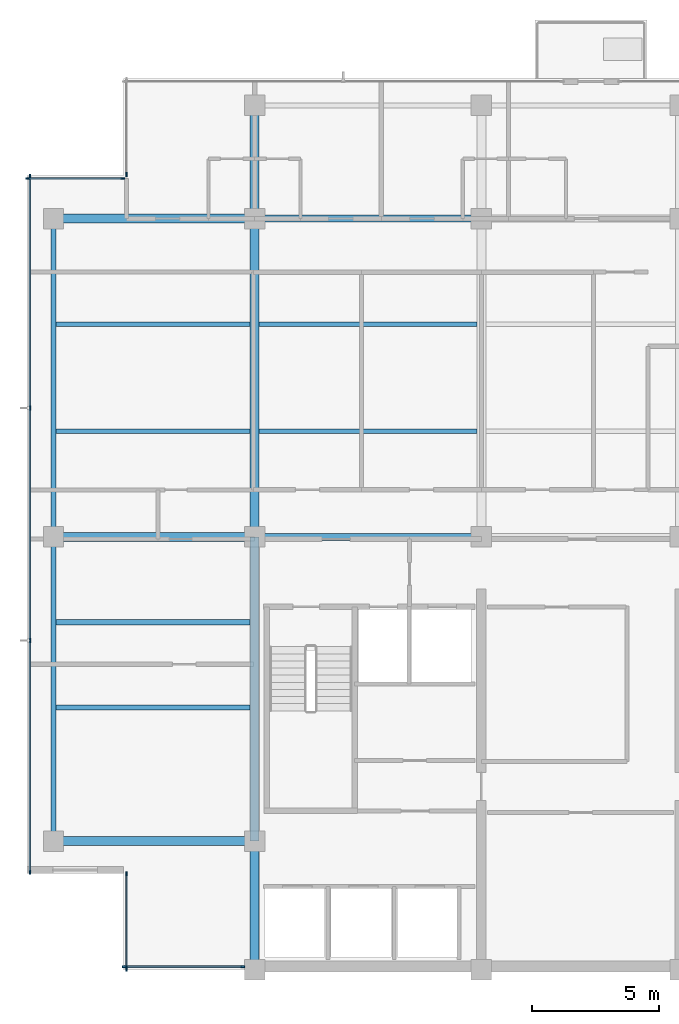
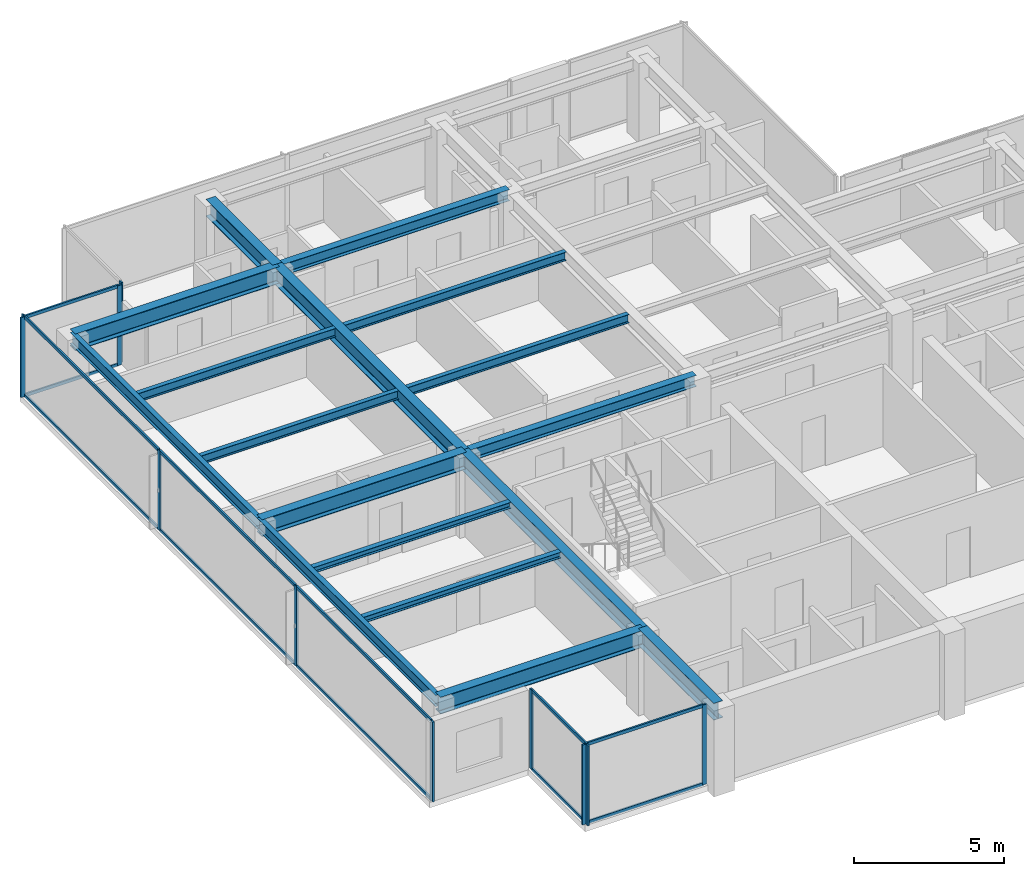
# One storey, part 2 of 11: 23 members, 17 beams, 5 elements without a shape of their own.
"""IFC4 building model written with IfcOpenShell, lengths in metres."""

from ifc_helpers import new_model, si_unit, direction, frame, origin, origin_2d, place, context, subcontext, project, spatial, rectangle, i_section, extrude, material, layer, layer_set, material_profile, profile_set, type_object, element, aggregate, save


model = new_model("IFC4")

# Units and contexts
model_context = context("Model", 3, precision=1e-05, world=origin(), true_north=direction((0.0, 1.0)))
body_context = subcontext(model_context, "Body", "Model", "MODEL_VIEW")
ifc_project = project(units=[si_unit("LENGTHUNIT", "METRE"), si_unit("AREAUNIT", "SQUARE_METRE"), si_unit("VOLUMEUNIT", "CUBIC_METRE"), si_unit("PLANEANGLEUNIT", "RADIAN"), si_unit("MASSUNIT", "GRAM", prefix="KILO")], contexts=[model_context])

# Site, building, storey
site_placement = place(None, origin())
site = spatial("IfcSite", under=ifc_project, at=site_placement, CompositionType="ELEMENT")
building_placement = place(site_placement, origin())
building = spatial("IfcBuilding", under=site, at=building_placement, Name="Qalmaran Belvedere Hotel", CompositionType="ELEMENT")
storey_placement = place(building_placement, frame((0.0, 0.0, 259.89990234375)))
storey = spatial("IfcBuildingStorey", under=building, at=storey_placement, Name="L67", CompositionType="ELEMENT", Elevation=259.89990234375)

# Beams
ifc_material_1 = material(Name="Steel S355JR", Category="steel")
ifc_material_profile_1 = material_profile(ifc_material_1, i_section(OverallWidth=0.201904296875, OverallDepth=0.2470703125, WebThickness=0.00732421875, FlangeThickness=0.010986328125, FilletRadius=0.011962890625, at=origin_2d()), Name="W250X49")
ifc_profile_set_1 = profile_set([ifc_material_profile_1], Name="Steel S355JR")
beam_type_1 = type_object("IfcBeamType", Name="BM-JST-W250X49", PredefinedType="JOIST", material=ifc_profile_set_1)
for number, where, z_axis, x_axis, name in (
    (1, (12.493896484375, 13.800048828125, 3.13671875), (1.0, 0.0, 0.0), (0.0, 1.0, 0.0), "L67 West Wing Joist 031"),
    (2, (12.493896484375, 17.14990234375, 3.13671875), (1.0, 0.0, 0.0), (0.0, 1.0, 0.0), "L67 West Wing Joist 033"),
):
    element("IfcBeam", number, at=place(storey_placement, frame(where, z_axis=z_axis, x_axis=x_axis)), inside=storey, type_object=beam_type_1, Name=name, PredefinedType="JOIST", context=body_context, shape_type="SweptSolid", body=[
        extrude(i_section(OverallWidth=0.201904296875, OverallDepth=0.2470703125, WebThickness=0.00732421875, FlangeThickness=0.010986328125, FilletRadius=0.011962890625, at=origin_2d()), origin(), (0.0, 0.0, 1.0), 7.630615234375),
    ])
ifc_material_profile_2 = material_profile(ifc_material_1, i_section(OverallWidth=0.172119140625, OverallDepth=0.35791015625, WebThickness=0.0078125, FlangeThickness=0.01318359375, FilletRadius=0.014892578125, at=origin_2d()), Name="W360X57")
ifc_profile_set_2 = profile_set([ifc_material_profile_2], Name="Steel S355JR")
beam_type_2 = type_object("IfcBeamType", Name="BM-SB4-W360X57", PredefinedType="BEAM", material=ifc_profile_set_2)
beam_1_placement = place(storey_placement, frame((12.493896484375, 24.64990234375, 3.0810546875), z_axis=(1.0, 0.0, 0.0), x_axis=(0.0, 1.0, 0.0)))
element("IfcBeam", 3, at=beam_1_placement, inside=storey, type_object=beam_type_2, Name="L67 West Secondary Beam 024", PredefinedType="BEAM", context=body_context, shape_type="SweptSolid", body=[
    extrude(i_section(OverallWidth=0.172119140625, OverallDepth=0.35791015625, WebThickness=0.0078125, FlangeThickness=0.01318359375, FilletRadius=0.014892578125, at=origin_2d()), origin(), (0.0, 0.0, 1.0), 7.630615234375),
])
beam_2_placement = place(storey_placement, frame((20.4755859375, 24.64990234375, 3.0810546875), z_axis=(1.0, 0.0, 0.0), x_axis=(0.0, 1.0, 0.0)))
element("IfcBeam", 4, at=beam_2_placement, inside=storey, type_object=beam_type_2, Name="L67 Secondary Floor Beam 025", PredefinedType="BEAM", context=body_context, shape_type="SweptSolid", body=[
    extrude(i_section(OverallWidth=0.172119140625, OverallDepth=0.35791015625, WebThickness=0.0078125, FlangeThickness=0.01318359375, FilletRadius=0.014892578125, at=origin_2d()), origin(), (0.0, 0.0, 1.0), 8.548828125),
])
beam_3_placement = place(storey_placement, frame((12.493896484375, 28.85009765625, 3.0810546875), z_axis=(1.0, 0.0, 0.0), x_axis=(0.0, 1.0, 0.0)))
element("IfcBeam", 5, at=beam_3_placement, inside=storey, type_object=beam_type_2, Name="L67 West Secondary Beam 028", PredefinedType="BEAM", context=body_context, shape_type="SweptSolid", body=[
    extrude(i_section(OverallWidth=0.172119140625, OverallDepth=0.35791015625, WebThickness=0.0078125, FlangeThickness=0.01318359375, FilletRadius=0.014892578125, at=origin_2d()), origin(), (0.0, 0.0, 1.0), 7.630615234375),
])
beam_4_placement = place(storey_placement, frame((20.4755859375, 28.85009765625, 3.0810546875), z_axis=(1.0, 0.0, 0.0), x_axis=(0.0, 1.0, 0.0)))
element("IfcBeam", 6, at=beam_4_placement, inside=storey, type_object=beam_type_2, Name="L67 Secondary Floor Beam 029", PredefinedType="BEAM", context=body_context, shape_type="SweptSolid", body=[
    extrude(i_section(OverallWidth=0.172119140625, OverallDepth=0.35791015625, WebThickness=0.0078125, FlangeThickness=0.01318359375, FilletRadius=0.014892578125, at=origin_2d()), origin(), (0.0, 0.0, 1.0), 8.548828125),
])
ifc_material_profile_3 = material_profile(ifc_material_1, i_section(OverallWidth=0.19189453125, OverallDepth=0.462890625, WebThickness=0.010498046875, FlangeThickness=0.017578125, FilletRadius=0.01611328125, at=origin_2d()), Name="W460X89")
ifc_profile_set_3 = profile_set([ifc_material_profile_3], Name="Steel S355JR")
beam_type_3 = type_object("IfcBeamType", Name="BM-SP2-W460X89", PredefinedType="SPANDREL", material=ifc_profile_set_3)
beam_5_placement = place(storey_placement, frame((12.39990234375, 8.550048828125, 3.028564453125), z_axis=(0.0, 1.0, 0.0), x_axis=(-1.0, 0.0, 0.0)))
element("IfcBeam", 7, at=beam_5_placement, inside=storey, type_object=beam_type_3, Name="L67 Perimeter Spandrel 01", PredefinedType="SPANDREL", context=body_context, shape_type="SweptSolid", body=[
    extrude(i_section(OverallWidth=0.19189453125, OverallDepth=0.462890625, WebThickness=0.010498046875, FlangeThickness=0.017578125, FilletRadius=0.01611328125, at=origin_2d()), origin(), (0.0, 0.0, 1.0), 11.949951171875),
])
beam_6_placement = place(storey_placement, frame((12.39990234375, 20.5, 3.028564453125), z_axis=(0.0, 1.0, 0.0), x_axis=(-1.0, 0.0, 0.0)))
element("IfcBeam", 8, at=beam_6_placement, inside=storey, type_object=beam_type_3, Name="L67 Perimeter Spandrel 02", PredefinedType="SPANDREL", context=body_context, shape_type="SweptSolid", body=[
    extrude(i_section(OverallWidth=0.19189453125, OverallDepth=0.462890625, WebThickness=0.010498046875, FlangeThickness=0.017578125, FilletRadius=0.01611328125, at=origin_2d()), origin(), (0.0, 0.0, 1.0), 12.5),
])
ifc_material_profile_4 = material_profile(ifc_material_1, i_section(OverallWidth=0.35498046875, OverallDepth=0.695068359375, WebThickness=0.015380859375, FlangeThickness=0.02490234375, FilletRadius=0.02197265625, at=origin_2d()), Name="W690X217")
ifc_profile_set_4 = profile_set([ifc_material_profile_4], Name="Steel S355JR")
beam_type_4 = type_object("IfcBeamType", Name="BM-Z1-W690X217", PredefinedType="USERDEFINED", material=ifc_profile_set_4)
beam_7_placement = place(storey_placement, frame((20.300048828125, 20.5, 2.91259765625), z_axis=(0.0, 1.0, 0.0), x_axis=(-1.0, 0.0, 0.0)))
element("IfcBeam", 9, at=beam_7_placement, inside=storey, type_object=beam_type_4, Name="L67 Mid-Plate N-S Girder 11", ObjectType="GIRDER", PredefinedType="USERDEFINED", context=body_context, shape_type="SweptSolid", body=[
    extrude(i_section(OverallWidth=0.35498046875, OverallDepth=0.695068359375, WebThickness=0.015380859375, FlangeThickness=0.02490234375, FilletRadius=0.02197265625, at=origin_2d()), origin(), (0.0, 0.0, 1.0), 12.5),
])
beam_8_placement = place(storey_placement, frame((20.300048828125, 33.0, 2.91259765625), z_axis=(0.0, 1.0, 0.0), x_axis=(-1.0, 0.0, 0.0)))
element("IfcBeam", 10, at=beam_8_placement, inside=storey, type_object=beam_type_4, Name="L67 North Bay Girder 12", ObjectType="GIRDER", PredefinedType="USERDEFINED", context=body_context, shape_type="SweptSolid", body=[
    extrude(i_section(OverallWidth=0.35498046875, OverallDepth=0.695068359375, WebThickness=0.015380859375, FlangeThickness=0.02490234375, FilletRadius=0.02197265625, at=origin_2d()), origin(), (0.0, 0.0, 1.0), 4.449951171875),
])
for number, where, z_axis, x_axis, name in (
    (11, (12.39990234375, 8.550048828125, 2.91259765625), (1.0, 0.0, 0.0), (0.0, 1.0, 0.0), "L67 West Wing Girder 19"),
    (12, (12.39990234375, 20.5, 2.91259765625), (1.0, 0.0, 0.0), (0.0, 1.0, 0.0), "L67 West Wing Girder 20"),
    (13, (12.39990234375, 33.0, 2.91259765625), (1.0, 0.0, 0.0), (0.0, 1.0, 0.0), "L67 West Wing Girder 21"),
):
    element("IfcBeam", number, at=place(storey_placement, frame(where, z_axis=z_axis, x_axis=x_axis)), inside=storey, type_object=beam_type_4, Name=name, ObjectType="GIRDER", PredefinedType="USERDEFINED", context=body_context, shape_type="SweptSolid", body=[
        extrude(i_section(OverallWidth=0.35498046875, OverallDepth=0.695068359375, WebThickness=0.015380859375, FlangeThickness=0.02490234375, FilletRadius=0.02197265625, at=origin_2d()), origin(), (0.0, 0.0, 1.0), 7.900146484375),
    ])
beam_9_placement = place(storey_placement, frame((20.300048828125, 3.5, 2.91259765625), z_axis=(0.0, 1.0, 0.0), x_axis=(-1.0, 0.0, 0.0)))
element("IfcBeam", 14, at=beam_9_placement, inside=storey, type_object=beam_type_4, Name="L67 West Core Edge Girder A", ObjectType="GIRDER", PredefinedType="USERDEFINED", context=body_context, shape_type="SweptSolid", body=[
    extrude(i_section(OverallWidth=0.35498046875, OverallDepth=0.695068359375, WebThickness=0.015380859375, FlangeThickness=0.02490234375, FilletRadius=0.02197265625, at=origin_2d()), origin(), (0.0, 0.0, 1.0), 5.050048828125),
])
beam_10_placement = place(storey_placement, frame((20.300048828125, 8.550048828125, 2.91259765625), z_axis=(0.0, 1.0, 0.0), x_axis=(-1.0, 0.0, 0.0)))
element("IfcBeam", 15, at=beam_10_placement, inside=storey, type_object=beam_type_4, Name="L67 West Core Edge Girder B", ObjectType="GIRDER", PredefinedType="USERDEFINED", context=body_context, shape_type="SweptSolid", body=[
    extrude(i_section(OverallWidth=0.35498046875, OverallDepth=0.695068359375, WebThickness=0.015380859375, FlangeThickness=0.02490234375, FilletRadius=0.02197265625, at=origin_2d()), origin(), (0.0, 0.0, 1.0), 11.949951171875),
])
ifc_material_profile_5 = material_profile(ifc_material_1, i_section(OverallWidth=0.280029296875, OverallDepth=0.462890625, WebThickness=0.0107421875, FlangeThickness=0.017333984375, FilletRadius=0.01611328125, at=origin_2d()), Name="W460X113")
ifc_profile_set_5 = profile_set([ifc_material_profile_5], Name="Steel S355JR")
beam_type_5 = type_object("IfcBeamType", Name="BM-Z5-W460X113", PredefinedType="USERDEFINED", material=ifc_profile_set_5)
for number, where, z_axis, x_axis, name in (
    (16, (20.300048828125, 20.5, 3.028564453125), (1.0, 0.0, 0.0), (0.0, 1.0, 0.0), "L67 Interior E-W Girder 06"),
    (17, (20.300048828125, 33.0, 3.028564453125), (1.0, 0.0, 0.0), (0.0, 1.0, 0.0), "L67 Interior E-W Girder 09"),
):
    element("IfcBeam", number, at=place(storey_placement, frame(where, z_axis=z_axis, x_axis=x_axis)), inside=storey, type_object=beam_type_5, Name=name, ObjectType="GIRDER", PredefinedType="USERDEFINED", context=body_context, shape_type="SweptSolid", body=[
        extrude(i_section(OverallWidth=0.280029296875, OverallDepth=0.462890625, WebThickness=0.0107421875, FlangeThickness=0.017333984375, FilletRadius=0.01611328125, at=origin_2d()), origin(), (0.0, 0.0, 1.0), 8.89990234375),
    ])

# Curtain wall, members
ifc_material_2 = material(Name="Anodised Bronze Aluminium", Category="aluminium")
ifc_layer = layer(ifc_material_2, 0.18505859375, Name="Anodised Bronze Aluminium")
ifc_layer_set = layer_set([ifc_layer], Name="Anodised Bronze Aluminium")
curtain_wall_type = type_object("IfcCurtainWallType", Name="CW6-TOWER-SKY", PredefinedType="NOTDEFINED", material=ifc_layer_set)
curtain_wall_1_placement = place(storey_placement, origin())
curtain_wall_1 = element("IfcCurtainWall", 18, at=curtain_wall_1_placement, inside=storey, type_object=curtain_wall_type, Name="L67 Curtain Wall CW6", PredefinedType="NOTDEFINED")
ifc_material_profile_6 = material_profile(ifc_material_2, rectangle(XDim=0.06494140625, YDim=0.1650390625, at=origin_2d()), Name="CWM65X165")
ifc_profile_set_6 = profile_set([ifc_material_profile_6], Name="Anodised Bronze Aluminium")
member_type_1 = type_object("IfcMemberType", Name="CWM-65X165", PredefinedType="MULLION", material=ifc_profile_set_6)
member_1_placement = place(storey_placement, frame((15.1826171875, 3.6201171875, 0.0), z_axis=(0.0, 0.0, 1.0), x_axis=(0.0, 1.0, 0.0)))
member_1 = element("IfcMember", 19, at=member_1_placement, type_object=member_type_1, Name="CW6 mullion 1", PredefinedType="MULLION", context=body_context, shape_type="SweptSolid", body=[
    extrude(rectangle(XDim=0.06494140625, YDim=0.1650390625, at=origin_2d()), origin(), (0.0, 0.0, 1.0), 3.260009765625),
])
member_2_placement = place(storey_placement, frame((19.827392578125, 3.6201171875, 0.0), z_axis=(0.0, 0.0, 1.0), x_axis=(0.0, 1.0, 0.0)))
member_2 = element("IfcMember", 20, at=member_2_placement, type_object=member_type_1, Name="CW6 mullion 2", PredefinedType="MULLION", context=body_context, shape_type="SweptSolid", body=[
    extrude(rectangle(XDim=0.06494140625, YDim=0.1650390625, at=origin_2d()), origin(), (0.0, 0.0, 1.0), 3.260009765625),
])

# Curtain wall, member
curtain_wall_2_placement = place(storey_placement, origin())
curtain_wall_2 = element("IfcCurtainWall", 21, at=curtain_wall_2_placement, inside=storey, type_object=curtain_wall_type, Name="L67 Curtain Wall CW6", PredefinedType="NOTDEFINED")
member_3_placement = place(storey_placement, frame((15.27001953125, 34.732421875, 0.0), z_axis=(0.0, 0.0, 1.0), x_axis=(1.0, 0.0, 0.0)))
member_3 = element("IfcMember", 22, at=member_3_placement, type_object=member_type_1, Name="CW6 mullion 2", PredefinedType="MULLION", context=body_context, shape_type="SweptSolid", body=[
    extrude(rectangle(XDim=0.06494140625, YDim=0.1650390625, at=origin_2d()), origin(), (0.0, 0.0, 1.0), 3.260009765625),
])
aggregate(curtain_wall_2, [member_3])

# Curtain wall, members
curtain_wall_3_placement = place(storey_placement, origin())
curtain_wall_3 = element("IfcCurtainWall", 23, at=curtain_wall_3_placement, inside=storey, type_object=curtain_wall_type, Name="L67 Curtain Wall CW6", PredefinedType="NOTDEFINED")
member_4_placement = place(storey_placement, frame((15.117431640625, 34.580078125, 0.0), z_axis=(0.0, 0.0, 1.0), x_axis=(0.0, -1.0, 0.0)))
member_4 = element("IfcMember", 24, at=member_4_placement, type_object=member_type_1, Name="CW6 mullion 1", PredefinedType="MULLION", context=body_context, shape_type="SweptSolid", body=[
    extrude(rectangle(XDim=0.06494140625, YDim=0.1650390625, at=origin_2d()), origin(), (0.0, 0.0, 1.0), 3.260009765625),
])
member_5_placement = place(storey_placement, frame((11.382568359375, 34.580078125, 0.0), z_axis=(0.0, 0.0, 1.0), x_axis=(0.0, -1.0, 0.0)))
member_5 = element("IfcMember", 25, at=member_5_placement, type_object=member_type_1, Name="CW6 mullion 2", PredefinedType="MULLION", context=body_context, shape_type="SweptSolid", body=[
    extrude(rectangle(XDim=0.06494140625, YDim=0.1650390625, at=origin_2d()), origin(), (0.0, 0.0, 1.0), 3.260009765625),
])

curtain_wall_4_placement = place(storey_placement, origin())
curtain_wall_4 = element("IfcCurtainWall", 26, at=curtain_wall_4_placement, inside=storey, type_object=curtain_wall_type, Name="L67 Curtain Wall CW6", PredefinedType="NOTDEFINED")
member_6_placement = place(storey_placement, frame((11.469970703125, 34.66748046875, 0.0), z_axis=(0.0, 0.0, 1.0), x_axis=(1.0, 0.0, 0.0)))
member_6 = element("IfcMember", 27, at=member_6_placement, type_object=member_type_1, Name="CW6 mullion 1", PredefinedType="MULLION", context=body_context, shape_type="SweptSolid", body=[
    extrude(rectangle(XDim=0.06494140625, YDim=0.1650390625, at=origin_2d()), origin(), (0.0, 0.0, 1.0), 3.260009765625),
])
member_7_placement = place(storey_placement, frame((11.469970703125, 25.566650390625, 0.0), z_axis=(0.0, 0.0, 1.0), x_axis=(1.0, 0.0, 0.0)))
member_7 = element("IfcMember", 28, at=member_7_placement, type_object=member_type_1, Name="CW6 mullion 2", PredefinedType="MULLION", context=body_context, shape_type="SweptSolid", body=[
    extrude(rectangle(XDim=0.06494140625, YDim=0.1650390625, at=origin_2d()), origin(), (0.0, 0.0, 1.0), 3.260009765625),
])
member_8_placement = place(storey_placement, frame((11.469970703125, 16.433349609375, 0.0), z_axis=(0.0, 0.0, 1.0), x_axis=(1.0, 0.0, 0.0)))
member_8 = element("IfcMember", 29, at=member_8_placement, type_object=member_type_1, Name="CW6 mullion 3", PredefinedType="MULLION", context=body_context, shape_type="SweptSolid", body=[
    extrude(rectangle(XDim=0.06494140625, YDim=0.1650390625, at=origin_2d()), origin(), (0.0, 0.0, 1.0), 3.260009765625),
])
member_9_placement = place(storey_placement, frame((11.469970703125, 7.33251953125, 0.0), z_axis=(0.0, 0.0, 1.0), x_axis=(1.0, 0.0, 0.0)))
member_9 = element("IfcMember", 30, at=member_9_placement, type_object=member_type_1, Name="CW6 mullion 4", PredefinedType="MULLION", context=body_context, shape_type="SweptSolid", body=[
    extrude(rectangle(XDim=0.06494140625, YDim=0.1650390625, at=origin_2d()), origin(), (0.0, 0.0, 1.0), 3.260009765625),
])

curtain_wall_5_placement = place(storey_placement, origin())
curtain_wall_5 = element("IfcCurtainWall", 31, at=curtain_wall_5_placement, inside=storey, type_object=curtain_wall_type, Name="L67 Curtain Wall CW6", PredefinedType="NOTDEFINED")
member_10_placement = place(storey_placement, frame((15.27001953125, 7.267578125, 0.0), z_axis=(0.0, 0.0, 1.0), x_axis=(1.0, 0.0, 0.0)))
member_10 = element("IfcMember", 32, at=member_10_placement, type_object=member_type_1, Name="CW6 mullion 1", PredefinedType="MULLION", context=body_context, shape_type="SweptSolid", body=[
    extrude(rectangle(XDim=0.06494140625, YDim=0.1650390625, at=origin_2d()), origin(), (0.0, 0.0, 1.0), 3.260009765625),
])
member_11_placement = place(storey_placement, frame((15.27001953125, 3.532470703125, 0.0), z_axis=(0.0, 0.0, 1.0), x_axis=(1.0, 0.0, 0.0)))
member_11 = element("IfcMember", 33, at=member_11_placement, type_object=member_type_1, Name="CW6 mullion 2", PredefinedType="MULLION", context=body_context, shape_type="SweptSolid", body=[
    extrude(rectangle(XDim=0.06494140625, YDim=0.1650390625, at=origin_2d()), origin(), (0.0, 0.0, 1.0), 3.260009765625),
])

# Member
ifc_material_profile_7 = material_profile(ifc_material_2, rectangle(XDim=0.06494140625, YDim=0.1298828125, at=origin_2d()), Name="CWT65X130")
ifc_profile_set_7 = profile_set([ifc_material_profile_7], Name="Anodised Bronze Aluminium")
member_type_2 = type_object("IfcMemberType", Name="CWT-65X130", PredefinedType="USERDEFINED", material=ifc_profile_set_7)
member_12_placement = place(storey_placement, frame((15.215087890625, 3.6201171875, 0.03271484375), z_axis=(1.0, 0.0, 0.0), x_axis=(0.0, 1.0, 0.0)))
member_12 = element("IfcMember", 34, at=member_12_placement, type_object=member_type_2, Name="CW6 transom 1.1", ObjectType="TRANSOM", PredefinedType="USERDEFINED", context=body_context, shape_type="SweptSolid", body=[
    extrude(rectangle(XDim=0.06494140625, YDim=0.1298828125, at=origin_2d()), origin(), (0.0, 0.0, 1.0), 4.579833984375),
])

member_13_placement = place(storey_placement, frame((15.215087890625, 3.6201171875, 3.2275390625), z_axis=(1.0, 0.0, 0.0), x_axis=(0.0, 1.0, 0.0)))
member_13 = element("IfcMember", 35, at=member_13_placement, type_object=member_type_2, Name="CW6 transom 1.2", ObjectType="TRANSOM", PredefinedType="USERDEFINED", context=body_context, shape_type="SweptSolid", body=[
    extrude(rectangle(XDim=0.06494140625, YDim=0.1298828125, at=origin_2d()), origin(), (0.0, 0.0, 1.0), 4.579833984375),
])

aggregate(curtain_wall_1, [member_1, member_2, member_12, member_13])

member_14_placement = place(storey_placement, frame((15.0849609375, 34.580078125, 0.03271484375), z_axis=(-1.0, 0.0, 0.0), x_axis=(0.0, -1.0, 0.0)))
member_14 = element("IfcMember", 36, at=member_14_placement, type_object=member_type_2, Name="CW6 transom 1.1", ObjectType="TRANSOM", PredefinedType="USERDEFINED", context=body_context, shape_type="SweptSolid", body=[
    extrude(rectangle(XDim=0.06494140625, YDim=0.1298828125, at=origin_2d()), origin(), (0.0, 0.0, 1.0), 3.669921875),
])

member_15_placement = place(storey_placement, frame((15.0849609375, 34.580078125, 3.2275390625), z_axis=(-1.0, 0.0, 0.0), x_axis=(0.0, -1.0, 0.0)))
member_15 = element("IfcMember", 37, at=member_15_placement, type_object=member_type_2, Name="CW6 transom 1.2", ObjectType="TRANSOM", PredefinedType="USERDEFINED", context=body_context, shape_type="SweptSolid", body=[
    extrude(rectangle(XDim=0.06494140625, YDim=0.1298828125, at=origin_2d()), origin(), (0.0, 0.0, 1.0), 3.669921875),
])

aggregate(curtain_wall_3, [member_4, member_5, member_14, member_15])

member_16_placement = place(storey_placement, frame((11.469970703125, 34.635009765625, 0.03271484375), z_axis=(0.0, -1.0, 0.0), x_axis=(1.0, 0.0, 0.0)))
member_16 = element("IfcMember", 38, at=member_16_placement, type_object=member_type_2, Name="CW6 transom 1.1", ObjectType="TRANSOM", PredefinedType="USERDEFINED", context=body_context, shape_type="SweptSolid", body=[
    extrude(rectangle(XDim=0.06494140625, YDim=0.1298828125, at=origin_2d()), origin(), (0.0, 0.0, 1.0), 9.035888671875),
])

member_17_placement = place(storey_placement, frame((11.469970703125, 34.635009765625, 3.2275390625), z_axis=(0.0, -1.0, 0.0), x_axis=(1.0, 0.0, 0.0)))
member_17 = element("IfcMember", 39, at=member_17_placement, type_object=member_type_2, Name="CW6 transom 1.2", ObjectType="TRANSOM", PredefinedType="USERDEFINED", context=body_context, shape_type="SweptSolid", body=[
    extrude(rectangle(XDim=0.06494140625, YDim=0.1298828125, at=origin_2d()), origin(), (0.0, 0.0, 1.0), 9.035888671875),
])

member_18_placement = place(storey_placement, frame((11.469970703125, 25.5341796875, 0.03271484375), z_axis=(0.0, -1.0, 0.0), x_axis=(1.0, 0.0, 0.0)))
member_18 = element("IfcMember", 40, at=member_18_placement, type_object=member_type_2, Name="CW6 transom 2.1", ObjectType="TRANSOM", PredefinedType="USERDEFINED", context=body_context, shape_type="SweptSolid", body=[
    extrude(rectangle(XDim=0.06494140625, YDim=0.1298828125, at=origin_2d()), origin(), (0.0, 0.0, 1.0), 9.068359375),
])

member_19_placement = place(storey_placement, frame((11.469970703125, 25.5341796875, 3.2275390625), z_axis=(0.0, -1.0, 0.0), x_axis=(1.0, 0.0, 0.0)))
member_19 = element("IfcMember", 41, at=member_19_placement, type_object=member_type_2, Name="CW6 transom 2.2", ObjectType="TRANSOM", PredefinedType="USERDEFINED", context=body_context, shape_type="SweptSolid", body=[
    extrude(rectangle(XDim=0.06494140625, YDim=0.1298828125, at=origin_2d()), origin(), (0.0, 0.0, 1.0), 9.068359375),
])

member_20_placement = place(storey_placement, frame((11.469970703125, 16.40087890625, 0.03271484375), z_axis=(0.0, -1.0, 0.0), x_axis=(1.0, 0.0, 0.0)))
member_20 = element("IfcMember", 42, at=member_20_placement, type_object=member_type_2, Name="CW6 transom 3.1", ObjectType="TRANSOM", PredefinedType="USERDEFINED", context=body_context, shape_type="SweptSolid", body=[
    extrude(rectangle(XDim=0.06494140625, YDim=0.1298828125, at=origin_2d()), origin(), (0.0, 0.0, 1.0), 9.035888671875),
])

member_21_placement = place(storey_placement, frame((11.469970703125, 16.40087890625, 3.2275390625), z_axis=(0.0, -1.0, 0.0), x_axis=(1.0, 0.0, 0.0)))
member_21 = element("IfcMember", 43, at=member_21_placement, type_object=member_type_2, Name="CW6 transom 3.2", ObjectType="TRANSOM", PredefinedType="USERDEFINED", context=body_context, shape_type="SweptSolid", body=[
    extrude(rectangle(XDim=0.06494140625, YDim=0.1298828125, at=origin_2d()), origin(), (0.0, 0.0, 1.0), 9.035888671875),
])

aggregate(curtain_wall_4, [member_6, member_7, member_8, member_9, member_16, member_17, member_18, member_19, member_20, member_21])

member_22_placement = place(storey_placement, frame((15.27001953125, 7.235107421875, 0.03271484375), z_axis=(0.0, -1.0, 0.0), x_axis=(1.0, 0.0, 0.0)))
member_22 = element("IfcMember", 44, at=member_22_placement, type_object=member_type_2, Name="CW6 transom 1.1", ObjectType="TRANSOM", PredefinedType="USERDEFINED", context=body_context, shape_type="SweptSolid", body=[
    extrude(rectangle(XDim=0.06494140625, YDim=0.1298828125, at=origin_2d()), origin(), (0.0, 0.0, 1.0), 3.670166015625),
])

member_23_placement = place(storey_placement, frame((15.27001953125, 7.235107421875, 3.2275390625), z_axis=(0.0, -1.0, 0.0), x_axis=(1.0, 0.0, 0.0)))
member_23 = element("IfcMember", 45, at=member_23_placement, type_object=member_type_2, Name="CW6 transom 1.2", ObjectType="TRANSOM", PredefinedType="USERDEFINED", context=body_context, shape_type="SweptSolid", body=[
    extrude(rectangle(XDim=0.06494140625, YDim=0.1298828125, at=origin_2d()), origin(), (0.0, 0.0, 1.0), 3.670166015625),
])

aggregate(curtain_wall_5, [member_10, member_11, member_22, member_23])

save(model, "model.ifc")
